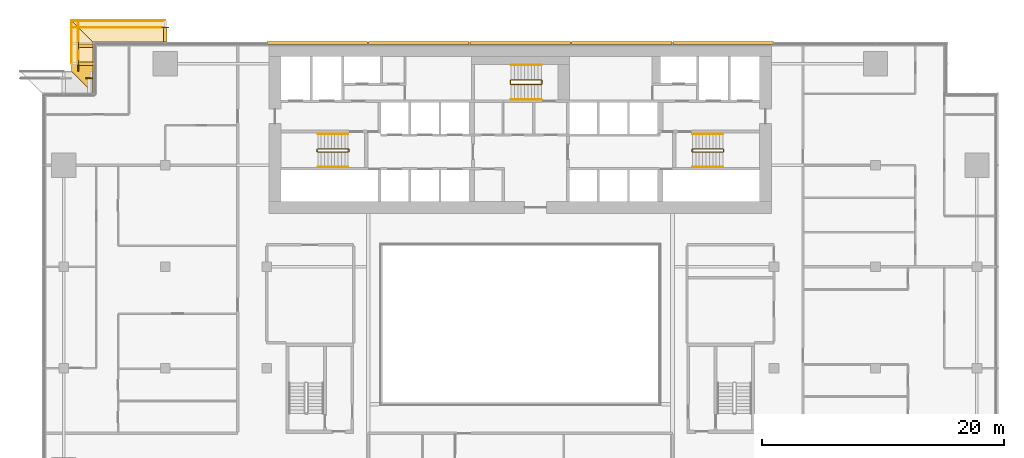
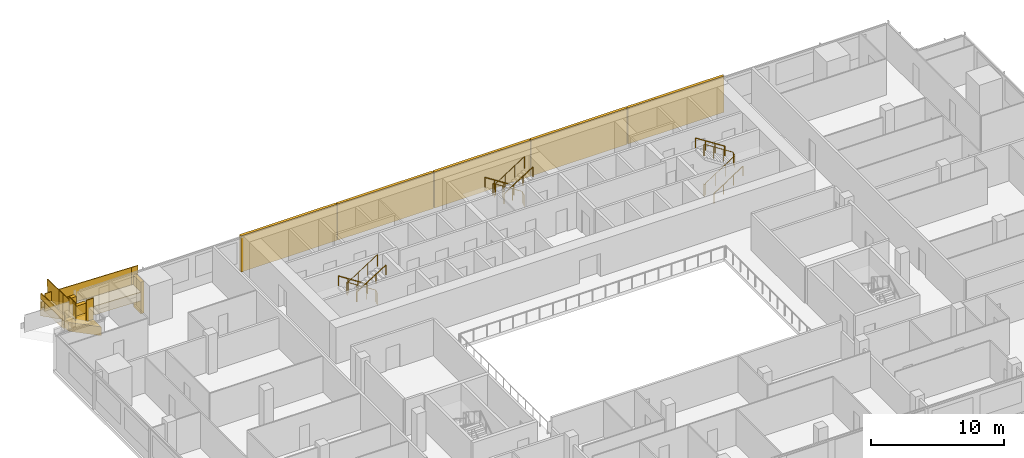
# One storey, part 27 of 30: 16 railings, 13 coverings.
"""IFC4 building model written with IfcOpenShell, lengths in metres."""

from ifc_helpers import new_model, si_unit, direction, frame, origin, origin_2d, place, context, subcontext, project, spatial, polyline, rectangle, circle, outline, extrude, material, layer, layer_set, type_object, element, save


model = new_model("IFC4")

# Units and contexts
model_context = context("Model", 3, precision=1e-05, world=origin(), true_north=direction((0.0, 1.0)))
body_context = subcontext(model_context, "Body", "Model", "MODEL_VIEW")
ifc_project = project(units=[si_unit("LENGTHUNIT", "METRE"), si_unit("AREAUNIT", "SQUARE_METRE"), si_unit("VOLUMEUNIT", "CUBIC_METRE"), si_unit("PLANEANGLEUNIT", "RADIAN"), si_unit("MASSUNIT", "GRAM", prefix="KILO")], contexts=[model_context])

# Site, building, storey
site_placement = place(None, origin())
site = spatial("IfcSite", under=ifc_project, at=site_placement, CompositionType="ELEMENT")
building_placement = place(site_placement, origin())
building = spatial("IfcBuilding", under=site, at=building_placement, Name="Saffron Gate Tower", CompositionType="ELEMENT")
storey_placement = place(building_placement, frame((0.0, 0.0, 127.64990234375)))
storey = spatial("IfcBuildingStorey", under=building, at=storey_placement, Name="L30", CompositionType="ELEMENT", Elevation=127.64990234375)

# Coverings
ifc_material_1 = material(Name="Ceramic-printed bronze insulated panel")
ifc_layer_1 = layer(ifc_material_1, 0.239990234375)
ifc_layer_set_1 = layer_set([ifc_layer_1], Name="CLD2 ceramic-printed cladding panel 240")
covering_type_1 = type_object("IfcCoveringType", Name="CLD2 ceramic-printed cladding panel 240", PredefinedType="CLADDING", material=ifc_layer_set_1)
covering_1_placement = place(storey_placement, origin())
element("IfcCovering", 1, at=covering_1_placement, inside=storey, type_object=covering_type_1, Name="CLADDING ceramic-printed panel", PredefinedType="CLADDING", context=body_context, shape_type="SweptSolid", body=[
    extrude(outline(polyline([(108.56494140625, 75.639892578125), (100.235107421875, 75.639892578125), (100.235107421875, 75.39990234375), (108.56494140625, 75.39990234375), (108.56494140625, 75.639892578125)])), origin(), (0.0, 0.0, 1.0), 3.320068359375),
])
covering_2_placement = place(storey_placement, origin())
element("IfcCovering", 2, at=covering_2_placement, inside=storey, type_object=covering_type_1, Name="CLADDING ceramic-printed panel", PredefinedType="CLADDING", context=body_context, shape_type="SweptSolid", body=[
    extrude(outline(polyline([(100.1650390625, 75.639892578125), (91.8349609375, 75.639892578125), (91.8349609375, 75.39990234375), (100.1650390625, 75.39990234375), (100.1650390625, 75.639892578125)])), origin(), (0.0, 0.0, 1.0), 3.320068359375),
])
covering_3_placement = place(storey_placement, origin())
element("IfcCovering", 3, at=covering_3_placement, inside=storey, type_object=covering_type_1, Name="CLADDING ceramic-printed panel", PredefinedType="CLADDING", context=body_context, shape_type="SweptSolid", body=[
    extrude(outline(polyline([(91.764892578125, 75.639892578125), (83.43505859375, 75.639892578125), (83.43505859375, 75.39990234375), (91.764892578125, 75.39990234375), (91.764892578125, 75.639892578125)])), origin(), (0.0, 0.0, 1.0), 3.320068359375),
])
covering_4_placement = place(storey_placement, origin())
element("IfcCovering", 4, at=covering_4_placement, inside=storey, type_object=covering_type_1, Name="CLADDING ceramic-printed panel", PredefinedType="CLADDING", context=body_context, shape_type="SweptSolid", body=[
    extrude(outline(polyline([(83.364990234375, 75.639892578125), (75.034912109375, 75.639892578125), (75.034912109375, 75.39990234375), (83.364990234375, 75.39990234375), (83.364990234375, 75.639892578125)])), origin(), (0.0, 0.0, 1.0), 3.320068359375),
])
covering_5_placement = place(storey_placement, origin())
element("IfcCovering", 5, at=covering_5_placement, inside=storey, type_object=covering_type_1, Name="CLADDING ceramic-printed panel", PredefinedType="CLADDING", context=body_context, shape_type="SweptSolid", body=[
    extrude(outline(polyline([(74.965087890625, 75.639892578125), (66.635009765625, 75.639892578125), (66.635009765625, 75.39990234375), (74.965087890625, 75.39990234375), (74.965087890625, 75.639892578125)])), origin(), (0.0, 0.0, 1.0), 3.320068359375),
])

# Railings
ifc_material_2 = material(Name="Stainless steel and laminated glass", Category="steel")
railing_type_1 = type_object("IfcRailingType", Name="CR1 Stair guard 1100", PredefinedType="GUARDRAIL", material=ifc_material_2)
railing_1_placement = place(storey_placement, frame((73.39990234375, 66.550048828125, 0.0)))
element("IfcRailing", 6, at=railing_1_placement, inside=storey, type_object=railing_type_1, Name="L30 ST-A stair guard 1", PredefinedType="GUARDRAIL", context=body_context, shape_type="SweptSolid", body=[
    extrude(circle(Radius=0.02392578125, at=origin_2d()), frame((0.0, 0.0, 1.076171875), z_axis=(0.0, 1.0, 0.0), x_axis=(-1.0, 0.0, 0.0)), (0.0, 0.0, 1.0), 0.14990234375),
    extrude(circle(Radius=0.02392578125, at=origin_2d()), frame((0.0, 0.14990234375, 1.076171875), z_axis=(-0.257366384619, 0.258627984543, 0.931060744355), x_axis=(-0.708833529934, -0.705375805398, 0.0)), (0.0, 0.0, 1.0), 0.193603515625),
    extrude(circle(Radius=0.02392578125, at=origin_2d()), frame((-0.0498046875, 0.199951171875, 1.25634765625), z_axis=(-0.841199657755, 0.0, 0.540724639528), x_axis=(0.0, -1.0, 0.0)), (0.0, 0.0, 1.0), 2.995849609375),
    extrude(circle(Radius=0.02392578125, at=origin_2d()), frame((-2.56982421875, 0.199951171875, 2.8759765625), z_axis=(-0.707106781187, -0.707106781187, 0.0), x_axis=(0.707106781187, -0.707106781187, 0.0)), (0.0, 0.0, 1.0), 0.07080078125),
    extrude(circle(Radius=0.02392578125, at=origin_2d()), frame((-2.619873046875, 0.14990234375, 2.8759765625), z_axis=(0.0, -1.0, 0.0), x_axis=(1.0, 0.0, 0.0)), (0.0, 0.0, 1.0), 0.14990234375),
    extrude(circle(Radius=0.02392578125, at=origin_2d()), frame((-2.619873046875, 0.0, 2.8759765625), z_axis=(0.258847668887, -0.258847668887, 0.930588936439), x_axis=(0.707106781187, 0.707106781187, 0.0)), (0.0, 0.0, 1.0), 0.193359375),
    extrude(circle(Radius=0.02392578125, at=origin_2d()), frame((-2.56982421875, -0.050048828125, 3.05615234375), z_axis=(0.841162588446, 0.0, 0.540782303519), x_axis=(0.0, 1.0, 0.0)), (0.0, 0.0, 1.0), 2.995849609375),
    extrude(circle(Radius=0.02099609375, at=origin_2d()), origin(), (0.0, 0.0, 1.0), 1.052001953125),
    extrude(circle(Radius=0.02099609375, at=origin_2d()), frame((0.0, 0.14990234375, 0.0)), (0.0, 0.0, 1.0), 1.052001953125),
    extrude(circle(Radius=0.02099609375, at=origin_2d()), frame((-0.0498046875, 0.199951171875, 0.18017578125)), (0.0, 0.0, 1.0), 1.052001953125),
    extrude(circle(Radius=0.02099609375, at=origin_2d()), frame((-0.889892578125, 0.199951171875, 0.72021484375)), (0.0, 0.0, 1.0), 1.052001953125),
    extrude(circle(Radius=0.02099609375, at=origin_2d()), frame((-1.729736328125, 0.199951171875, 1.260009765625)), (0.0, 0.0, 1.0), 1.052001953125),
    extrude(circle(Radius=0.02099609375, at=origin_2d()), frame((-2.56982421875, 0.199951171875, 1.800048828125)), (0.0, 0.0, 1.0), 1.052001953125),
    extrude(circle(Radius=0.02099609375, at=origin_2d()), frame((-2.619873046875, 0.14990234375, 1.800048828125)), (0.0, 0.0, 1.0), 1.052001953125),
    extrude(circle(Radius=0.02099609375, at=origin_2d()), frame((-2.619873046875, 0.0, 1.800048828125)), (0.0, 0.0, 1.0), 1.052001953125),
    extrude(circle(Radius=0.02099609375, at=origin_2d()), frame((-2.56982421875, -0.050048828125, 1.97998046875)), (0.0, 0.0, 1.0), 1.052001953125),
    extrude(circle(Radius=0.02099609375, at=origin_2d()), frame((-1.729736328125, -0.050048828125, 2.52001953125)), (0.0, 0.0, 1.0), 1.052001953125),
    extrude(circle(Radius=0.02099609375, at=origin_2d()), frame((-0.889892578125, -0.050048828125, 3.06005859375)), (0.0, 0.0, 1.0), 1.052001953125),
    extrude(circle(Radius=0.02099609375, at=origin_2d()), frame((-0.0498046875, -0.050048828125, 3.60009765625)), (0.0, 0.0, 1.0), 1.052001953125),
])
railing_2_placement = place(storey_placement, frame((101.800048828125, 66.699951171875, 0.0)))
element("IfcRailing", 7, at=railing_2_placement, inside=storey, type_object=railing_type_1, Name="L30 ST-B stair guard 1", PredefinedType="GUARDRAIL", context=body_context, shape_type="SweptSolid", body=[
    extrude(circle(Radius=0.02392578125, at=origin_2d()), frame((0.0, 0.0, 1.076171875), z_axis=(0.0, -1.0, 0.0), x_axis=(1.0, 0.0, 0.0)), (0.0, 0.0, 1.0), 0.14990234375),
    extrude(circle(Radius=0.02392578125, at=origin_2d()), frame((0.0, -0.14990234375, 1.076171875), z_axis=(0.258543844998, -0.258543844998, 0.930757841991), x_axis=(0.707106781187, 0.707106781187, 0.0)), (0.0, 0.0, 1.0), 0.193603515625),
    extrude(circle(Radius=0.02392578125, at=origin_2d()), frame((0.050048828125, -0.199951171875, 1.25634765625), z_axis=(0.841199657755, 0.0, 0.540724639528), x_axis=(0.0, 1.0, 0.0)), (0.0, 0.0, 1.0), 2.995849609375),
    extrude(circle(Radius=0.02392578125, at=origin_2d()), frame((2.570068359375, -0.199951171875, 2.8759765625), z_axis=(0.705375805398, 0.708833529934, 0.0), x_axis=(-0.708833529934, 0.705375805398, 0.0)), (0.0, 0.0, 1.0), 0.070556640625),
    extrude(circle(Radius=0.02392578125, at=origin_2d()), frame((2.619873046875, -0.14990234375, 2.8759765625), z_axis=(0.0, 1.0, 0.0), x_axis=(-1.0, 0.0, 0.0)), (0.0, 0.0, 1.0), 0.14990234375),
    extrude(circle(Radius=0.02392578125, at=origin_2d()), frame((2.619873046875, 0.0, 2.8759765625), z_axis=(-0.257669022063, 0.258932105505, 0.930892496375), x_axis=(-0.708833529934, -0.705375805398, 0.0)), (0.0, 0.0, 1.0), 0.193359375),
    extrude(circle(Radius=0.02392578125, at=origin_2d()), frame((2.570068359375, 0.050048828125, 3.05615234375), z_axis=(-0.841162588446, 0.0, 0.540782303519), x_axis=(0.0, -1.0, 0.0)), (0.0, 0.0, 1.0), 2.995849609375),
    extrude(circle(Radius=0.02099609375, at=origin_2d()), origin(), (0.0, 0.0, 1.0), 1.052001953125),
    extrude(circle(Radius=0.02099609375, at=origin_2d()), frame((0.0, -0.14990234375, 0.0)), (0.0, 0.0, 1.0), 1.052001953125),
    extrude(circle(Radius=0.02099609375, at=origin_2d()), frame((0.050048828125, -0.199951171875, 0.18017578125)), (0.0, 0.0, 1.0), 1.052001953125),
    extrude(circle(Radius=0.02099609375, at=origin_2d()), frame((0.89013671875, -0.199951171875, 0.72021484375)), (0.0, 0.0, 1.0), 1.052001953125),
    extrude(circle(Radius=0.02099609375, at=origin_2d()), frame((1.72998046875, -0.199951171875, 1.260009765625)), (0.0, 0.0, 1.0), 1.052001953125),
    extrude(circle(Radius=0.02099609375, at=origin_2d()), frame((2.570068359375, -0.199951171875, 1.800048828125)), (0.0, 0.0, 1.0), 1.052001953125),
    extrude(circle(Radius=0.02099609375, at=origin_2d()), frame((2.619873046875, -0.14990234375, 1.800048828125)), (0.0, 0.0, 1.0), 1.052001953125),
    extrude(circle(Radius=0.02099609375, at=origin_2d()), frame((2.619873046875, 0.0, 1.800048828125)), (0.0, 0.0, 1.0), 1.052001953125),
    extrude(circle(Radius=0.02099609375, at=origin_2d()), frame((2.570068359375, 0.050048828125, 1.97998046875)), (0.0, 0.0, 1.0), 1.052001953125),
    extrude(circle(Radius=0.02099609375, at=origin_2d()), frame((1.72998046875, 0.050048828125, 2.52001953125)), (0.0, 0.0, 1.0), 1.052001953125),
    extrude(circle(Radius=0.02099609375, at=origin_2d()), frame((0.89013671875, 0.050048828125, 3.06005859375)), (0.0, 0.0, 1.0), 1.052001953125),
    extrude(circle(Radius=0.02099609375, at=origin_2d()), frame((0.050048828125, 0.050048828125, 3.60009765625)), (0.0, 0.0, 1.0), 1.052001953125),
])
railing_3_placement = place(storey_placement, frame((89.39990234375, 72.14990234375, 0.0)))
element("IfcRailing", 8, at=railing_3_placement, inside=storey, type_object=railing_type_1, Name="L30 ST-C stair guard 1", PredefinedType="GUARDRAIL", context=body_context, shape_type="SweptSolid", body=[
    extrude(circle(Radius=0.02392578125, at=origin_2d()), frame((0.0, 0.0, 1.076171875), z_axis=(0.0, 1.0, 0.0), x_axis=(-1.0, 0.0, 0.0)), (0.0, 0.0, 1.0), 0.25),
    extrude(circle(Radius=0.02392578125, at=origin_2d()), frame((0.0, 0.25, 1.076171875), z_axis=(-0.257366384619, 0.258627984543, 0.931060744355), x_axis=(-0.708833529934, -0.705375805398, 0.0)), (0.0, 0.0, 1.0), 0.193603515625),
    extrude(circle(Radius=0.02392578125, at=origin_2d()), frame((-0.0498046875, 0.300048828125, 1.25634765625), z_axis=(-0.841199657755, 0.0, 0.540724639528), x_axis=(0.0, -1.0, 0.0)), (0.0, 0.0, 1.0), 2.995849609375),
    extrude(circle(Radius=0.02392578125, at=origin_2d()), frame((-2.56982421875, 0.300048828125, 2.8759765625), z_axis=(-0.707106781187, -0.707106781187, 0.0), x_axis=(0.707106781187, -0.707106781187, 0.0)), (0.0, 0.0, 1.0), 0.07080078125),
    extrude(circle(Radius=0.02392578125, at=origin_2d()), frame((-2.619873046875, 0.25, 2.8759765625), z_axis=(0.0, -1.0, 0.0), x_axis=(1.0, 0.0, 0.0)), (0.0, 0.0, 1.0), 0.25),
    extrude(circle(Radius=0.02392578125, at=origin_2d()), frame((-2.619873046875, 0.0, 2.8759765625), z_axis=(0.258932105505, -0.257669022063, 0.930892496375), x_axis=(0.705375805398, 0.708833529934, 0.0)), (0.0, 0.0, 1.0), 0.193359375),
    extrude(circle(Radius=0.02392578125, at=origin_2d()), frame((-2.56982421875, -0.0498046875, 3.05615234375), z_axis=(0.841162588446, 0.0, 0.540782303519), x_axis=(0.0, 1.0, 0.0)), (0.0, 0.0, 1.0), 2.995849609375),
    extrude(circle(Radius=0.02099609375, at=origin_2d()), origin(), (0.0, 0.0, 1.0), 1.052001953125),
    extrude(circle(Radius=0.02099609375, at=origin_2d()), frame((0.0, 0.25, 0.0)), (0.0, 0.0, 1.0), 1.052001953125),
    extrude(circle(Radius=0.02099609375, at=origin_2d()), frame((-0.0498046875, 0.300048828125, 0.18017578125)), (0.0, 0.0, 1.0), 1.052001953125),
    extrude(circle(Radius=0.02099609375, at=origin_2d()), frame((-0.889892578125, 0.300048828125, 0.72021484375)), (0.0, 0.0, 1.0), 1.052001953125),
    extrude(circle(Radius=0.02099609375, at=origin_2d()), frame((-1.729736328125, 0.300048828125, 1.260009765625)), (0.0, 0.0, 1.0), 1.052001953125),
    extrude(circle(Radius=0.02099609375, at=origin_2d()), frame((-2.56982421875, 0.300048828125, 1.800048828125)), (0.0, 0.0, 1.0), 1.052001953125),
    extrude(circle(Radius=0.02099609375, at=origin_2d()), frame((-2.619873046875, 0.25, 1.800048828125)), (0.0, 0.0, 1.0), 1.052001953125),
    extrude(circle(Radius=0.02099609375, at=origin_2d()), frame((-2.619873046875, 0.0, 1.800048828125)), (0.0, 0.0, 1.0), 1.052001953125),
    extrude(circle(Radius=0.02099609375, at=origin_2d()), frame((-2.56982421875, -0.0498046875, 1.97998046875)), (0.0, 0.0, 1.0), 1.052001953125),
    extrude(circle(Radius=0.02099609375, at=origin_2d()), frame((-1.729736328125, -0.0498046875, 2.52001953125)), (0.0, 0.0, 1.0), 1.052001953125),
    extrude(circle(Radius=0.02099609375, at=origin_2d()), frame((-0.889892578125, -0.0498046875, 3.06005859375)), (0.0, 0.0, 1.0), 1.052001953125),
    extrude(circle(Radius=0.02099609375, at=origin_2d()), frame((-0.0498046875, -0.0498046875, 3.60009765625)), (0.0, 0.0, 1.0), 1.052001953125),
])
ifc_material_3 = material(Name="Stainless steel", Category="steel")
railing_type_2 = type_object("IfcRailingType", Name="CR2 Stair handrail 900", PredefinedType="HANDRAIL", material=ifc_material_3)
railing_4_placement = place(storey_placement, frame((73.35009765625, 68.0, 0.18017578125)))
element("IfcRailing", 9, at=railing_4_placement, inside=storey, type_object=railing_type_2, Name="L30 ST-A stair handrail 1", PredefinedType="HANDRAIL", context=body_context, shape_type="SweptSolid", body=[
    extrude(circle(Radius=0.02392578125, at=origin_2d()), frame((0.0, 0.0, 0.8759765625), z_axis=(-0.841199657755, 0.0, 0.540724639528), x_axis=(0.0, -1.0, 0.0)), (0.0, 0.0, 1.0), 2.995849609375),
    extrude(circle(Radius=0.02099609375, at=origin_2d()), origin(), (0.0, 0.0, 1.0), 0.851806640625),
    extrude(circle(Radius=0.02099609375, at=origin_2d()), frame((-0.840087890625, 0.0, 0.5400390625)), (0.0, 0.0, 1.0), 0.851806640625),
    extrude(circle(Radius=0.02099609375, at=origin_2d()), frame((-1.679931640625, 0.0, 1.079833984375)), (0.0, 0.0, 1.0), 0.851806640625),
    extrude(circle(Radius=0.02099609375, at=origin_2d()), frame((-2.52001953125, 0.0, 1.619873046875)), (0.0, 0.0, 1.0), 0.851806640625),
])
railing_5_placement = place(storey_placement, frame((70.830078125, 65.25, 1.97998046875)))
element("IfcRailing", 10, at=railing_5_placement, inside=storey, type_object=railing_type_2, Name="L30 ST-A stair handrail 2", PredefinedType="HANDRAIL", context=body_context, shape_type="SweptSolid", body=[
    extrude(circle(Radius=0.02392578125, at=origin_2d()), frame((0.0, 0.0, 0.8759765625), z_axis=(0.841162588446, 0.0, 0.540782303519), x_axis=(0.0, 1.0, 0.0)), (0.0, 0.0, 1.0), 2.995849609375),
    extrude(circle(Radius=0.02099609375, at=origin_2d()), origin(), (0.0, 0.0, 1.0), 0.851806640625),
    extrude(circle(Radius=0.02099609375, at=origin_2d()), frame((0.840087890625, 0.0, 0.5400390625)), (0.0, 0.0, 1.0), 0.851806640625),
    extrude(circle(Radius=0.02099609375, at=origin_2d()), frame((1.679931640625, 0.0, 1.080078125)), (0.0, 0.0, 1.0), 0.851806640625),
    extrude(circle(Radius=0.02099609375, at=origin_2d()), frame((2.52001953125, 0.0, 1.6201171875)), (0.0, 0.0, 1.0), 0.851806640625),
])
railing_6_placement = place(storey_placement, frame((101.85009765625, 65.25, 0.18017578125)))
element("IfcRailing", 11, at=railing_6_placement, inside=storey, type_object=railing_type_2, Name="L30 ST-B stair handrail 1", PredefinedType="HANDRAIL", context=body_context, shape_type="SweptSolid", body=[
    extrude(circle(Radius=0.02392578125, at=origin_2d()), frame((0.0, 0.0, 0.8759765625), z_axis=(0.841199657755, 0.0, 0.540724639528), x_axis=(0.0, 1.0, 0.0)), (0.0, 0.0, 1.0), 2.995849609375),
    extrude(circle(Radius=0.02099609375, at=origin_2d()), origin(), (0.0, 0.0, 1.0), 0.851806640625),
    extrude(circle(Radius=0.02099609375, at=origin_2d()), frame((0.840087890625, 0.0, 0.5400390625)), (0.0, 0.0, 1.0), 0.851806640625),
    extrude(circle(Radius=0.02099609375, at=origin_2d()), frame((1.679931640625, 0.0, 1.079833984375)), (0.0, 0.0, 1.0), 0.851806640625),
    extrude(circle(Radius=0.02099609375, at=origin_2d()), frame((2.52001953125, 0.0, 1.619873046875)), (0.0, 0.0, 1.0), 0.851806640625),
])
railing_7_placement = place(storey_placement, frame((104.3701171875, 68.0, 1.97998046875)))
element("IfcRailing", 12, at=railing_7_placement, inside=storey, type_object=railing_type_2, Name="L30 ST-B stair handrail 2", PredefinedType="HANDRAIL", context=body_context, shape_type="SweptSolid", body=[
    extrude(circle(Radius=0.02392578125, at=origin_2d()), frame((0.0, 0.0, 0.8759765625), z_axis=(-0.841162588446, 0.0, 0.540782303519), x_axis=(0.0, -1.0, 0.0)), (0.0, 0.0, 1.0), 2.995849609375),
    extrude(circle(Radius=0.02099609375, at=origin_2d()), origin(), (0.0, 0.0, 1.0), 0.851806640625),
    extrude(circle(Radius=0.02099609375, at=origin_2d()), frame((-0.840087890625, 0.0, 0.5400390625)), (0.0, 0.0, 1.0), 0.851806640625),
    extrude(circle(Radius=0.02099609375, at=origin_2d()), frame((-1.679931640625, 0.0, 1.080078125)), (0.0, 0.0, 1.0), 0.851806640625),
    extrude(circle(Radius=0.02099609375, at=origin_2d()), frame((-2.52001953125, 0.0, 1.6201171875)), (0.0, 0.0, 1.0), 0.851806640625),
])
railing_8_placement = place(storey_placement, frame((89.35009765625, 73.699951171875, 0.18017578125)))
element("IfcRailing", 13, at=railing_8_placement, inside=storey, type_object=railing_type_2, Name="L30 ST-C stair handrail 1", PredefinedType="HANDRAIL", context=body_context, shape_type="SweptSolid", body=[
    extrude(circle(Radius=0.02392578125, at=origin_2d()), frame((0.0, 0.0, 0.8759765625), z_axis=(-0.841199657755, 0.0, 0.540724639528), x_axis=(0.0, -1.0, 0.0)), (0.0, 0.0, 1.0), 2.995849609375),
    extrude(circle(Radius=0.02099609375, at=origin_2d()), origin(), (0.0, 0.0, 1.0), 0.851806640625),
    extrude(circle(Radius=0.02099609375, at=origin_2d()), frame((-0.840087890625, 0.0, 0.5400390625)), (0.0, 0.0, 1.0), 0.851806640625),
    extrude(circle(Radius=0.02099609375, at=origin_2d()), frame((-1.679931640625, 0.0, 1.079833984375)), (0.0, 0.0, 1.0), 0.851806640625),
    extrude(circle(Radius=0.02099609375, at=origin_2d()), frame((-2.52001953125, 0.0, 1.619873046875)), (0.0, 0.0, 1.0), 0.851806640625),
])
railing_9_placement = place(storey_placement, frame((86.830078125, 70.85009765625, 1.97998046875)))
element("IfcRailing", 14, at=railing_9_placement, inside=storey, type_object=railing_type_2, Name="L30 ST-C stair handrail 2", PredefinedType="HANDRAIL", context=body_context, shape_type="SweptSolid", body=[
    extrude(circle(Radius=0.02392578125, at=origin_2d()), frame((0.0, 0.0, 0.8759765625), z_axis=(0.841162588446, 0.0, 0.540782303519), x_axis=(0.0, 1.0, 0.0)), (0.0, 0.0, 1.0), 2.995849609375),
    extrude(circle(Radius=0.02099609375, at=origin_2d()), origin(), (0.0, 0.0, 1.0), 0.851806640625),
    extrude(circle(Radius=0.02099609375, at=origin_2d()), frame((0.840087890625, 0.0, 0.5400390625)), (0.0, 0.0, 1.0), 0.851806640625),
    extrude(circle(Radius=0.02099609375, at=origin_2d()), frame((1.679931640625, 0.0, 1.080078125)), (0.0, 0.0, 1.0), 0.851806640625),
    extrude(circle(Radius=0.02099609375, at=origin_2d()), frame((2.52001953125, 0.0, 1.6201171875)), (0.0, 0.0, 1.0), 0.851806640625),
])

# Coverings
ifc_material_4 = material(Name="Timber, thermally modified ash", Category="wood")
ifc_layer_2 = layer(ifc_material_4, 0.800048828125)
ifc_layer_set_2 = layer_set([ifc_layer_2], Name="LD1 ledge timber")
covering_type_2 = type_object("IfcCoveringType", Name="LD1 ledge timber", PredefinedType="CLADDING", material=ifc_layer_set_2)
covering_6_placement = place(storey_placement, frame((58.199951171875, 75.60009765625, 1.0556640625), z_axis=(0.028807146299, -3.5032058e-05, 0.99958498743), x_axis=(-0.999584988043, -3.68e-10, 0.028807146316)))
element("IfcCovering", 15, at=covering_6_placement, inside=storey, type_object=covering_type_2, Name="LEDGE", PredefinedType="CLADDING", context=body_context, shape_type="SweptSolid", body=[
    extrude(outline(polyline([(0.0, 0.0), (6.0024892885105, 0.0), (7.8032891020589235, -1.799804691475862), (-6.622937652876953e-10, -1.7998046863955992), (0.0, 0.0)])), origin(), (0.0, 0.0, -1.0), 0.800048828125),
])
covering_7_placement = place(storey_placement, frame((52.199951171875, 75.60009765625, 2.0859375), z_axis=(-1.29947e-06, 0.028742979799, 0.999586835203), x_axis=(-2e-12, -0.999586835204, 0.028742979799)))
element("IfcCovering", 16, at=covering_7_placement, inside=storey, type_object=covering_type_2, Name="LEDGE", PredefinedType="CLADDING", context=body_context, shape_type="SweptSolid", body=[
    extrude(outline(polyline([(0.0, 0.0), (1.8007927850764784, 0.0), (1.800792785079517, -1.8000488281234803), (-1.8005487453187516, -1.8000488281325988), (0.0, 0.0)])), origin(), (0.0, 0.0, -1.0), 0.800048828125),
])
covering_8_placement = place(storey_placement, frame((52.199951171875, 73.800048828125, 2.39501953125), z_axis=(2.6333678e-05, 0.028794305201, 0.999585357683), x_axis=(5.2e-10, -0.99958535803, 0.028794305211)))
element("IfcCovering", 17, at=covering_8_placement, inside=storey, type_object=covering_type_2, Name="LEDGE", PredefinedType="CLADDING", context=body_context, shape_type="SweptSolid", body=[
    extrude(outline(polyline([(0.0, 0.0), (2.401140733194568, 0.0), (0.6003479496762917, -1.8000488290612322), (-9.357805408281585e-10, -1.8000488275008664), (0.0, 0.0)])), origin(), (0.0, 0.0, -1.0), 0.800048828125),
])
ifc_layer_3 = layer(ifc_material_4, 0.080078125)
ifc_layer_set_3 = layer_set([ifc_layer_3], Name="LD2 ledge planter trough")
covering_type_3 = type_object("IfcCoveringType", Name="LD2 ledge planter trough", PredefinedType="CLADDING", material=ifc_layer_set_3)
covering_9_placement = place(storey_placement, frame((58.199951171875, 77.39990234375, 1.0556640625), z_axis=(0.0, 1.0, 0.0), x_axis=(-0.999584755248, 0.0, 0.028815222999)))
element("IfcCovering", 18, at=covering_9_placement, inside=storey, type_object=covering_type_3, Name="LEDGE planter trough", PredefinedType="CLADDING", context=body_context, shape_type="SweptSolid", body=[
    extrude(outline(polyline([(0.0, 0.0), (7.803289102975944, 0.0), (7.8176967144752565, 0.4997923776238338), (0.014407611499312996, 0.4997923776238338), (0.0, 0.0)])), origin(), (0.0, 0.0, -1.0), 0.080078125),
])
covering_10_placement = place(storey_placement, frame((50.39990234375, 77.39990234375, 2.0341796875), z_axis=(-1.0, 0.0, 0.0), x_axis=(0.0, -0.999586816534, 0.028743629041)))
element("IfcCovering", 19, at=covering_10_placement, inside=storey, type_object=covering_type_3, Name="LEDGE planter trough", PredefinedType="CLADDING", context=body_context, shape_type="SweptSolid", body=[
    extrude(outline(polyline([(0.0, 0.0), (3.6013415303990284, 0.0), (3.615713344919565, 0.4997934082672433), (0.01437181452053653, 0.4997934082672433), (0.0, 0.0)])), origin(), (0.0, 0.0, -1.0), 0.080078125),
])
ifc_layer_4 = layer(ifc_material_4, 0.300048828125)
ifc_layer_set_4 = layer_set([ifc_layer_4], Name="LD3 ledge riser fin")
covering_type_4 = type_object("IfcCoveringType", Name="LD3 ledge riser fin", PredefinedType="CLADDING", material=ifc_layer_set_4)
covering_11_placement = place(storey_placement, frame((58.199951171875, 76.159912109375, -0.944580078125), z_axis=(0.0, 0.0, 1.0), x_axis=(-1.0, 0.0, 0.0)))
element("IfcCovering", 20, at=covering_11_placement, inside=storey, type_object=covering_type_4, Name="LEDGE riser fin", PredefinedType="CLADDING", context=body_context, shape_type="SweptSolid", body=[
    extrude(rectangle(XDim=0.300048828125, YDim=1.1201171875, at=origin_2d()), origin(), (0.0, 0.0, 1.0), 2.900390625),
])
covering_12_placement = place(storey_placement, frame((51.639892578125, 75.300048828125, 0.4287109375), z_axis=(0.0, 0.0, 1.0), x_axis=(0.0, -1.0, 0.0)))
element("IfcCovering", 21, at=covering_12_placement, inside=storey, type_object=covering_type_4, Name="LEDGE riser fin", PredefinedType="CLADDING", context=body_context, shape_type="SweptSolid", body=[
    extrude(rectangle(XDim=0.300048828125, YDim=1.1201171875, at=origin_2d()), origin(), (0.0, 0.0, 1.0), 2.557373046875),
])
covering_13_placement = place(storey_placement, frame((51.639892578125, 73.800048828125, 1.337890625), z_axis=(0.0, 0.0, 1.0), x_axis=(0.0, -1.0, 0.0)))
element("IfcCovering", 22, at=covering_13_placement, inside=storey, type_object=covering_type_4, Name="LEDGE riser fin", PredefinedType="CLADDING", context=body_context, shape_type="SweptSolid", body=[
    extrude(rectangle(XDim=0.300048828125, YDim=1.1201171875, at=origin_2d()), origin(), (0.0, 0.0, 1.0), 1.957275390625),
])

# Railings
railing_type_3 = type_object("IfcRailingType", Name="LG1 ledge balustrade", PredefinedType="BALUSTRADE", material=ifc_material_4)
railing_10_placement = place(storey_placement, frame((58.199951171875, 76.800048828125, 1.0556640625)))
element("IfcRailing", 23, at=railing_10_placement, inside=storey, type_object=railing_type_3, Name="LEDGE BALUSTRADE", PredefinedType="BALUSTRADE", context=body_context, shape_type="SweptSolid", body=[
    extrude(rectangle(XDim=0.06005859375, YDim=1.60009765625, at=origin_2d()), frame((0.0, 0.0, 0.800048828125), z_axis=(-0.999584755248, 0.0, 0.028815222999), x_axis=(0.0, -1.0, 0.0)), (0.0, 0.0, 1.0), 7.80322265625),
])
railing_11_placement = place(storey_placement, frame((58.5, 76.800048828125, -0.14453125)))
element("IfcRailing", 24, at=railing_11_placement, inside=storey, type_object=railing_type_3, Name="LEDGE BALUSTRADE", PredefinedType="BALUSTRADE", context=body_context, shape_type="SweptSolid", body=[
    extrude(rectangle(XDim=0.06005859375, YDim=2.80029296875, at=origin_2d()), frame((0.0, 0.0, 1.400146484375), z_axis=(-1.0, 0.0, 0.0), x_axis=(0.0, -1.0, 0.0)), (0.0, 0.0, 1.0), 0.60009765625),
])
railing_12_placement = place(storey_placement, frame((51.0, 77.39990234375, 2.0341796875)))
element("IfcRailing", 25, at=railing_12_placement, inside=storey, type_object=railing_type_3, Name="LEDGE BALUSTRADE", PredefinedType="BALUSTRADE", context=body_context, shape_type="SweptSolid", body=[
    extrude(rectangle(XDim=0.06005859375, YDim=1.60009765625, at=origin_2d()), frame((0.0, 0.0, 0.800048828125), z_axis=(0.0, -0.999586816534, 0.028743629041), x_axis=(1.0, 0.0, 0.0)), (0.0, 0.0, 1.0), 3.601318359375),
])
railing_13_placement = place(storey_placement, frame((51.0, 75.60009765625, 1.228515625)))
element("IfcRailing", 26, at=railing_13_placement, inside=storey, type_object=railing_type_3, Name="LEDGE BALUSTRADE", PredefinedType="BALUSTRADE", context=body_context, shape_type="SweptSolid", body=[
    extrude(rectangle(XDim=0.06005859375, YDim=2.45751953125, at=origin_2d()), frame((0.0, 0.0, 1.228759765625), z_axis=(0.0, -1.0, 0.0), x_axis=(1.0, 0.0, 0.0)), (0.0, 0.0, 1.0), 0.60009765625),
])
railing_14_placement = place(storey_placement, frame((51.0, 73.800048828125, 2.39501953125)))
element("IfcRailing", 27, at=railing_14_placement, inside=storey, type_object=railing_type_3, Name="LEDGE BALUSTRADE", PredefinedType="BALUSTRADE", context=body_context, shape_type="SweptSolid", body=[
    extrude(rectangle(XDim=0.06005859375, YDim=1.60009765625, at=origin_2d()), frame((0.0, 0.0, 0.800048828125), z_axis=(0.0, -0.999583081391, 0.028873229772), x_axis=(1.0, 0.0, 0.0)), (0.0, 0.0, 1.0), 0.600341796875),
])
railing_15_placement = place(storey_placement, frame((51.0, 74.10009765625, 2.1376953125)))
element("IfcRailing", 28, at=railing_15_placement, inside=storey, type_object=railing_type_3, Name="LEDGE BALUSTRADE", PredefinedType="BALUSTRADE", context=body_context, shape_type="SweptSolid", body=[
    extrude(rectangle(XDim=0.06005859375, YDim=1.857177734375, at=origin_2d()), frame((0.0, 0.0, 0.9287109375), z_axis=(0.0, -1.0, 0.0), x_axis=(1.0, 0.0, 0.0)), (0.0, 0.0, 1.0), 0.60009765625),
])
railing_16_placement = place(storey_placement, frame((52.199951171875, 72.60009765625, 2.464111328125)))
element("IfcRailing", 29, at=railing_16_placement, inside=storey, type_object=railing_type_3, Name="LEDGE BALUSTRADE", PredefinedType="BALUSTRADE", context=body_context, shape_type="SweptSolid", body=[
    extrude(rectangle(XDim=0.06005859375, YDim=1.943115234375, at=origin_2d()), frame((0.0, 0.0, 0.9716796875), z_axis=(-1.0, 0.0, 0.0), x_axis=(0.0, -1.0, 0.0)), (0.0, 0.0, 1.0), 0.599853515625),
])

save(model, "model.ifc")
